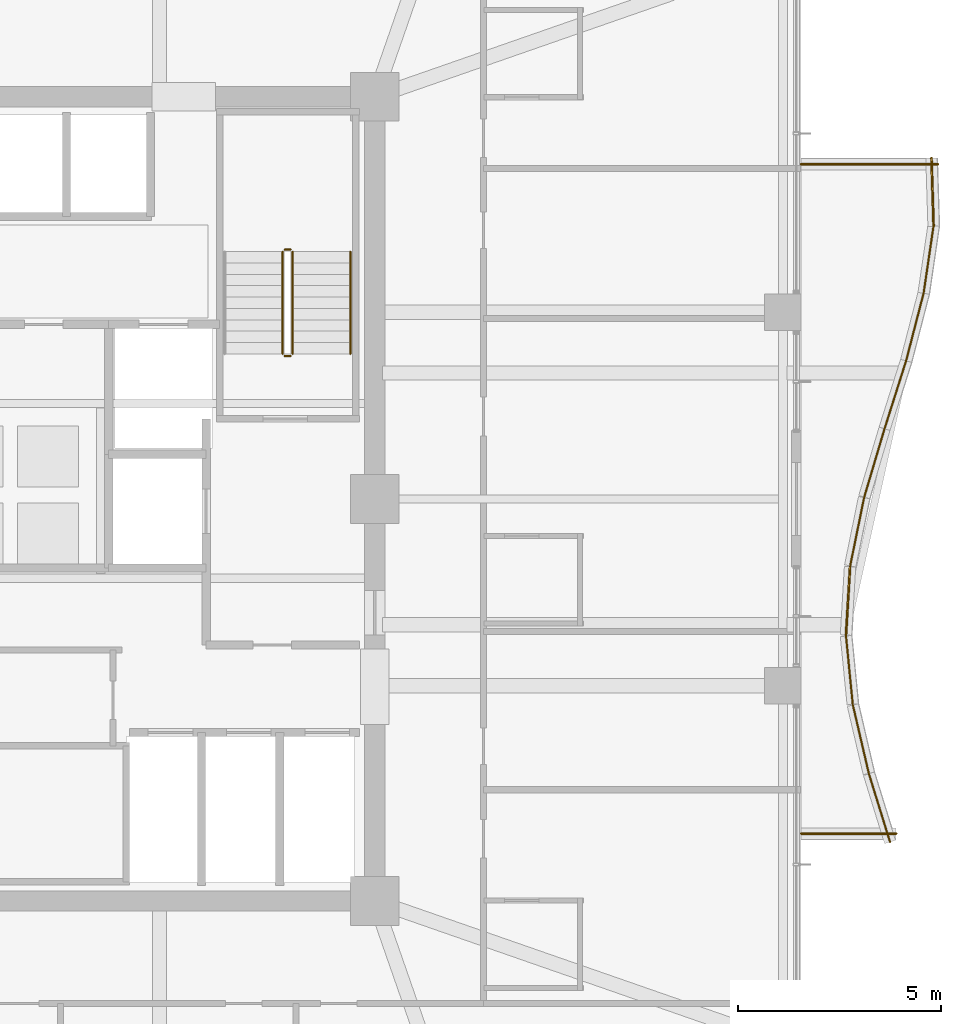
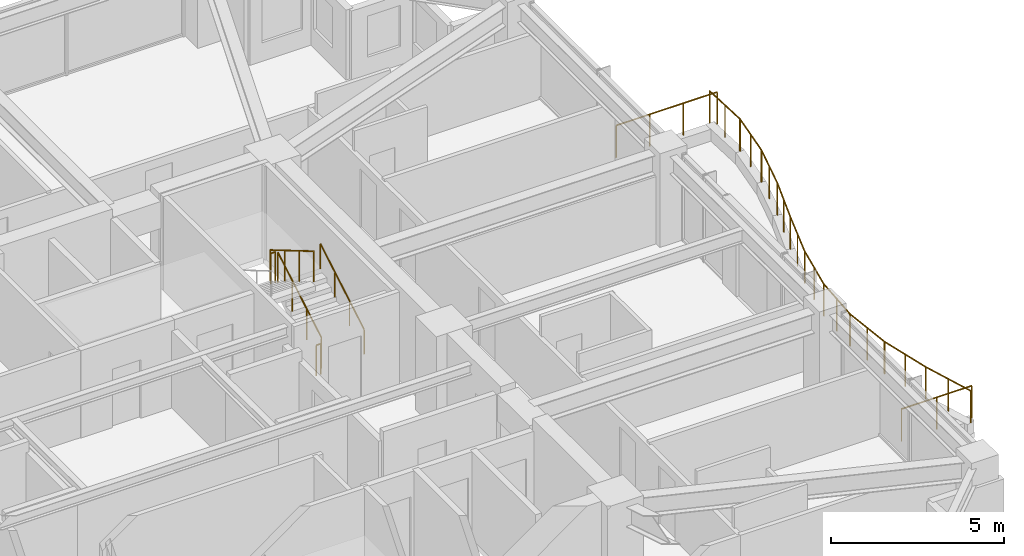
# One storey, part 34 of 34: 17 railings.
"""IFC4 building model written with IfcOpenShell, lengths in metres."""

from ifc_helpers import new_model, si_unit, direction, frame, origin, origin_2d, place, context, subcontext, project, spatial, circle, extrude, material, type_object, element, save


model = new_model("IFC4")

# Units and contexts
model_context = context("Model", 3, precision=1e-05, world=origin(), true_north=direction((0.0, 1.0)))
body_context = subcontext(model_context, "Body", "Model", "MODEL_VIEW")
ifc_project = project(units=[si_unit("LENGTHUNIT", "METRE"), si_unit("AREAUNIT", "SQUARE_METRE"), si_unit("VOLUMEUNIT", "CUBIC_METRE"), si_unit("PLANEANGLEUNIT", "RADIAN"), si_unit("MASSUNIT", "GRAM", prefix="KILO")], contexts=[model_context])

# Site, building, storey
site_placement = place(None, origin())
site = spatial("IfcSite", under=ifc_project, at=site_placement, CompositionType="ELEMENT")
building_placement = place(site_placement, origin())
building = spatial("IfcBuilding", under=site, at=building_placement, Name="Kolvaren Belvedere", CompositionType="ELEMENT")
storey_placement = place(building_placement, frame((0.0, 0.0, 189.89990234375)))
storey = spatial("IfcBuildingStorey", under=building, at=storey_placement, Name="L55", CompositionType="ELEMENT", Elevation=189.89990234375)

# Railings
ifc_material_1 = material(Name="Anodised pale-metal aluminium & laminated glass guard", Category="aluminium")
railing_type_1 = type_object("IfcRailingType", Name="RL-GUARD-1150", PredefinedType="GUARDRAIL", material=ifc_material_1)
railing_1_placement = place(storey_placement, frame((22.587158203125, -8.447265625, 0.380126953125)))
element("IfcRailing", 1, at=railing_1_placement, inside=storey, type_object=railing_type_1, Name="L55 Exterior Deck Safety Guard BAL-E-1", PredefinedType="GUARDRAIL", context=body_context, shape_type="SweptSolid", body=[
    extrude(circle(Radius=0.02392578125, at=origin_2d()), frame((0.0, 0.0, 1.1259765625), z_axis=(-0.295831524561, 0.95524013163, 0.0), x_axis=(-0.95524013163, -0.295831524561, 0.0)), (0.0, 0.0, 1.0), 1.758544921875),
    extrude(circle(Radius=0.02099609375, at=origin_2d()), origin(), (0.0, 0.0, 1.0), 1.101806640625),
    extrude(circle(Radius=0.02099609375, at=origin_2d()), frame((-0.26025390625, 0.83984375, 0.0)), (0.0, 0.0, 1.0), 1.101806640625),
    extrude(circle(Radius=0.02099609375, at=origin_2d()), frame((-0.520263671875, 1.679931640625, 0.0)), (0.0, 0.0, 1.0), 1.101806640625),
])
railing_2_placement = place(storey_placement, frame((22.06396484375, -6.75634765625, 0.380126953125)))
element("IfcRailing", 2, at=railing_2_placement, inside=storey, type_object=railing_type_1, Name="L55 Exterior Deck Safety Guard BAL-E-2", PredefinedType="GUARDRAIL", context=body_context, shape_type="SweptSolid", body=[
    extrude(circle(Radius=0.02392578125, at=origin_2d()), frame((0.0, 0.0, 1.1259765625), z_axis=(-0.227019323824, 0.973890253884, 0.0), x_axis=(-0.973890253884, -0.227019323824, 0.0)), (0.0, 0.0, 1.0), 1.724853515625),
    extrude(circle(Radius=0.02099609375, at=origin_2d()), origin(), (0.0, 0.0, 1.0), 1.101806640625),
    extrude(circle(Radius=0.02099609375, at=origin_2d()), frame((-0.19580078125, 0.83984375, 0.0)), (0.0, 0.0, 1.0), 1.101806640625),
    extrude(circle(Radius=0.02099609375, at=origin_2d()), frame((-0.3916015625, 1.679931640625, 0.0)), (0.0, 0.0, 1.0), 1.101806640625),
])
railing_3_placement = place(storey_placement, frame((21.6689453125, -5.0556640625, 0.380126953125)))
element("IfcRailing", 3, at=railing_3_placement, inside=storey, type_object=railing_type_1, Name="L55 Exterior Deck Safety Guard BAL-E-3", PredefinedType="GUARDRAIL", context=body_context, shape_type="SweptSolid", body=[
    extrude(circle(Radius=0.02392578125, at=origin_2d()), frame((0.0, 0.0, 1.1259765625), z_axis=(-0.098343801694, 0.995152499202, 0.0), x_axis=(-0.995152499202, -0.098343801694, 0.0)), (0.0, 0.0, 1.0), 1.688232421875),
    extrude(circle(Radius=0.02099609375, at=origin_2d()), origin(), (0.0, 0.0, 1.0), 1.101806640625),
    extrude(circle(Radius=0.02099609375, at=origin_2d()), frame((-0.0830078125, 0.83984375, 0.0)), (0.0, 0.0, 1.0), 1.101806640625),
    extrude(circle(Radius=0.02099609375, at=origin_2d()), frame((-0.166015625, 1.679931640625, 0.0)), (0.0, 0.0, 1.0), 1.101806640625),
])
railing_4_placement = place(storey_placement, frame((21.50244140625, -3.350341796875, 0.380126953125)))
element("IfcRailing", 4, at=railing_4_placement, inside=storey, type_object=railing_type_1, Name="L55 Exterior Deck Safety Guard BAL-E-4", PredefinedType="GUARDRAIL", context=body_context, shape_type="SweptSolid", body=[
    extrude(circle(Radius=0.02392578125, at=origin_2d()), frame((0.0, 0.0, 1.1259765625), z_axis=(0.059767979379, 0.998212296378, 0.0), x_axis=(-0.998212296378, 0.059767979379, 0.0)), (0.0, 0.0, 1.0), 1.682861328125),
    extrude(circle(Radius=0.02099609375, at=origin_2d()), origin(), (0.0, 0.0, 1.0), 1.101806640625),
    extrude(circle(Radius=0.02099609375, at=origin_2d()), frame((0.05029296875, 0.83984375, 0.0)), (0.0, 0.0, 1.0), 1.101806640625),
    extrude(circle(Radius=0.02099609375, at=origin_2d()), frame((0.1005859375, 1.679931640625, 0.0)), (0.0, 0.0, 1.0), 1.101806640625),
])
railing_5_placement = place(storey_placement, frame((21.60595703125, -1.64794921875, 0.380126953125)))
element("IfcRailing", 5, at=railing_5_placement, inside=storey, type_object=railing_type_1, Name="L55 Exterior Deck Safety Guard BAL-E-5", PredefinedType="GUARDRAIL", context=body_context, shape_type="SweptSolid", body=[
    extrude(circle(Radius=0.02392578125, at=origin_2d()), frame((0.0, 0.0, 1.1259765625), z_axis=(0.199784246163, 0.979839912937, 0.0), x_axis=(-0.979839912937, 0.199784246163, 0.0)), (0.0, 0.0, 1.0), 1.714599609375),
    extrude(circle(Radius=0.02099609375, at=origin_2d()), origin(), (0.0, 0.0, 1.0), 1.101806640625),
    extrude(circle(Radius=0.02099609375, at=origin_2d()), frame((0.17138671875, 0.83984375, 0.0)), (0.0, 0.0, 1.0), 1.101806640625),
    extrude(circle(Radius=0.02099609375, at=origin_2d()), frame((0.342529296875, 1.679931640625, 0.0)), (0.0, 0.0, 1.0), 1.101806640625),
])
railing_6_placement = place(storey_placement, frame((21.951904296875, 0.045654296875, 0.380126953125)))
element("IfcRailing", 6, at=railing_6_placement, inside=storey, type_object=railing_type_1, Name="L55 Exterior Deck Safety Guard BAL-E-6", PredefinedType="GUARDRAIL", context=body_context, shape_type="SweptSolid", body=[
    extrude(circle(Radius=0.02392578125, at=origin_2d()), frame((0.0, 0.0, 1.1259765625), z_axis=(0.284880325779, 0.95856309129, 0.0), x_axis=(-0.95856309129, 0.284880325779, 0.0)), (0.0, 0.0, 1.0), 1.75244140625),
    extrude(circle(Radius=0.02099609375, at=origin_2d()), origin(), (0.0, 0.0, 1.0), 1.101806640625),
    extrude(circle(Radius=0.02099609375, at=origin_2d()), frame((0.24951171875, 0.83984375, 0.0)), (0.0, 0.0, 1.0), 1.101806640625),
    extrude(circle(Radius=0.02099609375, at=origin_2d()), frame((0.499267578125, 1.679931640625, 0.0)), (0.0, 0.0, 1.0), 1.101806640625),
])
railing_7_placement = place(storey_placement, frame((22.4521484375, 1.728515625, 0.380126953125)))
element("IfcRailing", 7, at=railing_7_placement, inside=storey, type_object=railing_type_1, Name="L55 Exterior Deck Safety Guard BAL-E-7", PredefinedType="GUARDRAIL", context=body_context, shape_type="SweptSolid", body=[
    extrude(circle(Radius=0.02392578125, at=origin_2d()), frame((0.0, 0.0, 1.1259765625), z_axis=(0.302397356111, 0.953181954832, 0.0), x_axis=(-0.953181954832, 0.302397356111, 0.0)), (0.0, 0.0, 1.0), 1.762451171875),
    extrude(circle(Radius=0.02099609375, at=origin_2d()), origin(), (0.0, 0.0, 1.0), 1.101806640625),
    extrude(circle(Radius=0.02099609375, at=origin_2d()), frame((0.2666015625, 0.83984375, 0.0)), (0.0, 0.0, 1.0), 1.101806640625),
    extrude(circle(Radius=0.02099609375, at=origin_2d()), frame((0.532958984375, 1.679931640625, 0.0)), (0.0, 0.0, 1.0), 1.101806640625),
])
railing_8_placement = place(storey_placement, frame((22.982666015625, 3.400146484375, 0.380126953125)))
element("IfcRailing", 8, at=railing_8_placement, inside=storey, type_object=railing_type_1, Name="L55 Exterior Deck Safety Guard BAL-E-8", PredefinedType="GUARDRAIL", context=body_context, shape_type="SweptSolid", body=[
    extrude(circle(Radius=0.02392578125, at=origin_2d()), frame((0.0, 0.0, 1.1259765625), z_axis=(0.250439664624, 0.968132209145, 0.0), x_axis=(-0.968132209145, 0.250439664624, 0.0)), (0.0, 0.0, 1.0), 1.7353515625),
    extrude(circle(Radius=0.02099609375, at=origin_2d()), origin(), (0.0, 0.0, 1.0), 1.101806640625),
    extrude(circle(Radius=0.02099609375, at=origin_2d()), frame((0.21728515625, 0.83984375, 0.0)), (0.0, 0.0, 1.0), 1.101806640625),
    extrude(circle(Radius=0.02099609375, at=origin_2d()), frame((0.4345703125, 1.679931640625, 0.0)), (0.0, 0.0, 1.0), 1.101806640625),
])
railing_9_placement = place(storey_placement, frame((23.413818359375, 5.063232421875, 0.380126953125)))
element("IfcRailing", 9, at=railing_9_placement, inside=storey, type_object=railing_type_1, Name="L55 Exterior Deck Safety Guard BAL-E-9", PredefinedType="GUARDRAIL", context=body_context, shape_type="SweptSolid", body=[
    extrude(circle(Radius=0.02392578125, at=origin_2d()), frame((0.0, 0.0, 1.1259765625), z_axis=(0.145907826437, 0.98929818871, 0.0), x_axis=(-0.98929818871, 0.145907826437, 0.0)), (0.0, 0.0, 1.0), 1.6982421875),
    extrude(circle(Radius=0.02099609375, at=origin_2d()), origin(), (0.0, 0.0, 1.0), 1.101806640625),
    extrude(circle(Radius=0.02099609375, at=origin_2d()), frame((0.1240234375, 0.840087890625, 0.0)), (0.0, 0.0, 1.0), 1.101806640625),
    extrude(circle(Radius=0.02099609375, at=origin_2d()), frame((0.247802734375, 1.68017578125, 0.0)), (0.0, 0.0, 1.0), 1.101806640625),
])
railing_10_placement = place(storey_placement, frame((23.66015625, 6.715087890625, 0.380126953125)))
element("IfcRailing", 10, at=railing_10_placement, inside=storey, type_object=railing_type_1, Name="L55 Exterior Deck Safety Guard BAL-E-10", PredefinedType="GUARDRAIL", context=body_context, shape_type="SweptSolid", body=[
    extrude(circle(Radius=0.02392578125, at=origin_2d()), frame((0.0, 0.0, 1.1259765625), z_axis=(-0.031520443874, 0.999503107358, 0.0), x_axis=(-0.999503107358, -0.031520443874, 0.0)), (0.0, 0.0, 1.0), 1.6806640625),
    extrude(circle(Radius=0.02099609375, at=origin_2d()), origin(), (0.0, 0.0, 1.0), 1.101806640625),
    extrude(circle(Radius=0.02099609375, at=origin_2d()), frame((-0.0263671875, 0.83984375, 0.0)), (0.0, 0.0, 1.0), 1.101806640625),
    extrude(circle(Radius=0.02099609375, at=origin_2d()), frame((-0.052978515625, 1.679931640625, 0.0)), (0.0, 0.0, 1.0), 1.101806640625),
])
railing_11_placement = place(storey_placement, frame((23.76708984375, 8.239990234375, 0.380126953125)))
element("IfcRailing", 11, at=railing_11_placement, inside=storey, type_object=railing_type_1, Name="L55 Exterior Deck Safety Guard BAL-E-11", PredefinedType="GUARDRAIL", context=body_context, shape_type="SweptSolid", body=[
    extrude(circle(Radius=0.02392578125, at=origin_2d()), frame((0.0, 0.0, 1.1259765625), z_axis=(-1.0, 0.0, 0.0), x_axis=(0.0, -1.0, 0.0)), (0.0, 0.0, 1.0), 3.3671875),
    extrude(circle(Radius=0.02099609375, at=origin_2d()), origin(), (0.0, 0.0, 1.0), 1.101806640625),
    extrude(circle(Radius=0.02099609375, at=origin_2d()), frame((-1.122314453125, 0.0, 0.0)), (0.0, 0.0, 1.0), 1.101806640625),
    extrude(circle(Radius=0.02099609375, at=origin_2d()), frame((-2.244873046875, 0.0, 0.0)), (0.0, 0.0, 1.0), 1.101806640625),
    extrude(circle(Radius=0.02099609375, at=origin_2d()), frame((-3.3671875, 0.0, 0.0)), (0.0, 0.0, 1.0), 1.101806640625),
])
railing_12_placement = place(storey_placement, frame((20.39990234375, -8.239990234375, 0.380126953125)))
element("IfcRailing", 12, at=railing_12_placement, inside=storey, type_object=railing_type_1, Name="L55 Exterior Deck Safety Guard BAL-E-22", PredefinedType="GUARDRAIL", context=body_context, shape_type="SweptSolid", body=[
    extrude(circle(Radius=0.02392578125, at=origin_2d()), frame((0.0, 0.0, 1.1259765625), z_axis=(1.0, 0.0, 0.0), x_axis=(0.0, 1.0, 0.0)), (0.0, 0.0, 1.0), 2.340087890625),
    extrude(circle(Radius=0.02099609375, at=origin_2d()), origin(), (0.0, 0.0, 1.0), 1.101806640625),
    extrude(circle(Radius=0.02099609375, at=origin_2d()), frame((1.169921875, 0.0, 0.0)), (0.0, 0.0, 1.0), 1.101806640625),
    extrude(circle(Radius=0.02099609375, at=origin_2d()), frame((2.340087890625, 0.0, 0.0)), (0.0, 0.0, 1.0), 1.101806640625),
])
ifc_material_2 = material(Name="Brushed stainless-steel handrail", Category="steel")
railing_type_2 = type_object("IfcRailingType", Name="RL-HANDRAIL-920", PredefinedType="HANDRAIL", material=ifc_material_2)
railing_13_placement = place(storey_placement, frame((9.300048828125, 3.570068359375, 0.1650390625)))
element("IfcRailing", 13, at=railing_13_placement, inside=storey, type_object=railing_type_2, Name="L55 ST-2 stair handrail 1", PredefinedType="HANDRAIL", context=body_context, shape_type="SweptSolid", body=[
    extrude(circle(Radius=0.02392578125, at=origin_2d()), frame((0.0, 0.0, 0.8759765625), z_axis=(0.0, 0.86152411907, 0.507716645641), x_axis=(-1.0, 0.0, 0.0)), (0.0, 0.0, 1.0), 2.925048828125),
    extrude(circle(Radius=0.02099609375, at=origin_2d()), origin(), (0.0, 0.0, 1.0), 0.851806640625),
    extrude(circle(Radius=0.02099609375, at=origin_2d()), frame((0.0, 0.840087890625, 0.4951171875)), (0.0, 0.0, 1.0), 0.851806640625),
    extrude(circle(Radius=0.02099609375, at=origin_2d()), frame((0.0, 1.679931640625, 0.989990234375)), (0.0, 0.0, 1.0), 0.851806640625),
    extrude(circle(Radius=0.02099609375, at=origin_2d()), frame((0.0, 2.52001953125, 1.485107421875)), (0.0, 0.0, 1.0), 0.851806640625),
])
ifc_material_3 = material(Name="Painted tubular steel stair guard", Category="steel")
railing_type_3 = type_object("IfcRailingType", Name="RL-STGUARD-1100", PredefinedType="GUARDRAIL", material=ifc_material_3)
railing_14_placement = place(storey_placement, frame((7.8798828125, 3.570068359375, 0.1650390625)))
element("IfcRailing", 14, at=railing_14_placement, inside=storey, type_object=railing_type_3, Name="L55 ST-2 stair guard 1", PredefinedType="GUARDRAIL", context=body_context, shape_type="SweptSolid", body=[
    extrude(circle(Radius=0.02392578125, at=origin_2d()), frame((0.0, 0.0, 1.076171875), z_axis=(0.0, 0.86152411907, 0.507716645641), x_axis=(-1.0, 0.0, 0.0)), (0.0, 0.0, 1.0), 2.925048828125),
    extrude(circle(Radius=0.02099609375, at=origin_2d()), origin(), (0.0, 0.0, 1.0), 1.052001953125),
    extrude(circle(Radius=0.02099609375, at=origin_2d()), frame((0.0, 0.840087890625, 0.4951171875)), (0.0, 0.0, 1.0), 1.052001953125),
    extrude(circle(Radius=0.02099609375, at=origin_2d()), frame((0.0, 1.679931640625, 0.989990234375)), (0.0, 0.0, 1.0), 1.052001953125),
    extrude(circle(Radius=0.02099609375, at=origin_2d()), frame((0.0, 2.52001953125, 1.485107421875)), (0.0, 0.0, 1.0), 1.052001953125),
])
railing_15_placement = place(storey_placement, frame((7.830078125, 6.139892578125, 1.650146484375)))
element("IfcRailing", 15, at=railing_15_placement, inside=storey, type_object=railing_type_3, Name="L55 ST-2 stair guard 2", PredefinedType="GUARDRAIL", context=body_context, shape_type="SweptSolid", body=[
    extrude(circle(Radius=0.02392578125, at=origin_2d()), frame((0.0, 0.0, 1.076171875), z_axis=(-1.0, 0.0, 0.0), x_axis=(0.0, -1.0, 0.0)), (0.0, 0.0, 1.0), 0.150146484375),
    extrude(circle(Radius=0.02099609375, at=origin_2d()), origin(), (0.0, 0.0, 1.0), 1.052001953125),
    extrude(circle(Radius=0.02099609375, at=origin_2d()), frame((-0.150146484375, 0.0, 0.0)), (0.0, 0.0, 1.0), 1.052001953125),
])
railing_16_placement = place(storey_placement, frame((7.6298828125, 6.090087890625, 1.815185546875)))
element("IfcRailing", 16, at=railing_16_placement, inside=storey, type_object=railing_type_3, Name="L55 ST-2 stair guard 3", PredefinedType="GUARDRAIL", context=body_context, shape_type="SweptSolid", body=[
    extrude(circle(Radius=0.02392578125, at=origin_2d()), frame((0.0, 0.0, 1.076171875), z_axis=(0.0, -0.861560626758, 0.507654692109), x_axis=(1.0, 0.0, 0.0)), (0.0, 0.0, 1.0), 2.925048828125),
    extrude(circle(Radius=0.02099609375, at=origin_2d()), origin(), (0.0, 0.0, 1.0), 1.052001953125),
    extrude(circle(Radius=0.02099609375, at=origin_2d()), frame((0.0, -0.840087890625, 0.494873046875)), (0.0, 0.0, 1.0), 1.052001953125),
    extrude(circle(Radius=0.02099609375, at=origin_2d()), frame((0.0, -1.679931640625, 0.989990234375)), (0.0, 0.0, 1.0), 1.052001953125),
    extrude(circle(Radius=0.02099609375, at=origin_2d()), frame((0.0, -2.52001953125, 1.48486328125)), (0.0, 0.0, 1.0), 1.052001953125),
])
railing_17_placement = place(storey_placement, frame((7.830078125, 3.52001953125, 0.0)))
element("IfcRailing", 17, at=railing_17_placement, inside=storey, type_object=railing_type_3, Name="L55 ST-2 stair guard 4", PredefinedType="GUARDRAIL", context=body_context, shape_type="SweptSolid", body=[
    extrude(circle(Radius=0.02392578125, at=origin_2d()), frame((0.0, 0.0, 1.076171875), z_axis=(-1.0, 0.0, 0.0), x_axis=(0.0, -1.0, 0.0)), (0.0, 0.0, 1.0), 0.150146484375),
    extrude(circle(Radius=0.02099609375, at=origin_2d()), origin(), (0.0, 0.0, 1.0), 1.052001953125),
    extrude(circle(Radius=0.02099609375, at=origin_2d()), frame((-0.150146484375, 0.0, 0.0)), (0.0, 0.0, 1.0), 1.052001953125),
])

save(model, "model.ifc")
